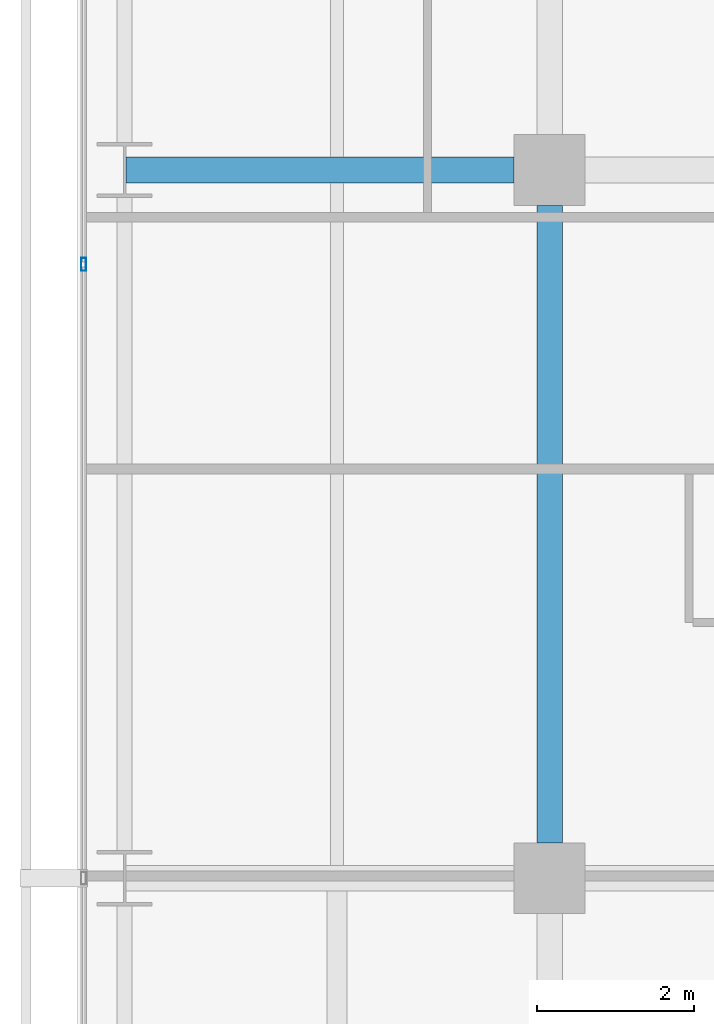
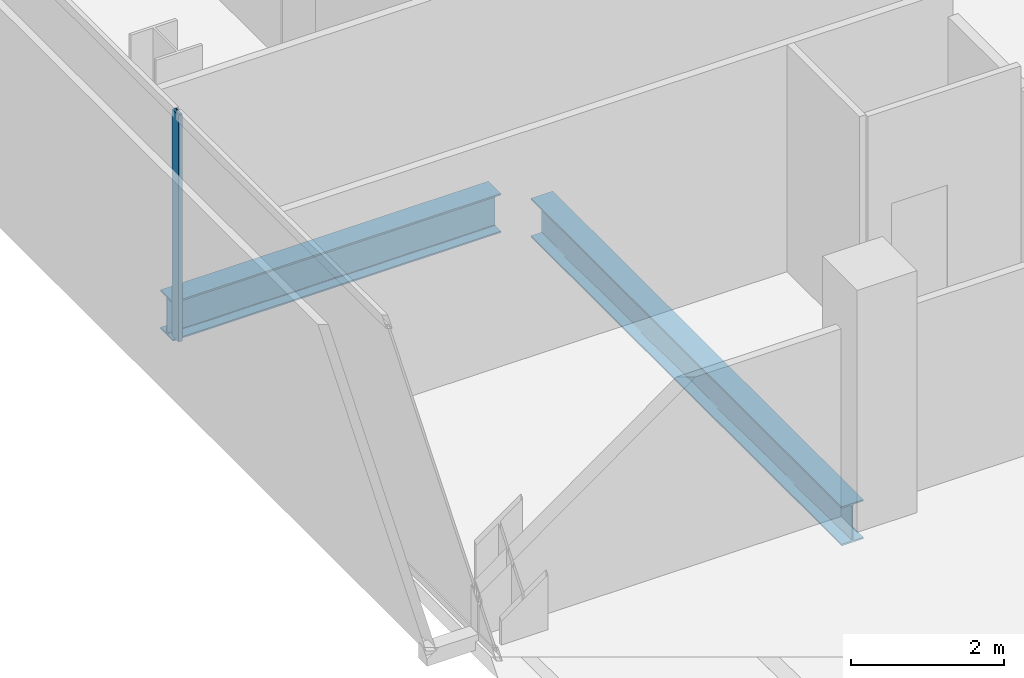
# One storey, part 21 of 40: 2 beams, 1 member, 1 element without a shape of its own.
"""IFC4 building model written with IfcOpenShell, lengths in metres."""

import ifcopenshell
import ifcopenshell.guid

model = None  # the IFC model being written
_history = None  # IfcOwnerHistory: only IFC2X3 demands one
_inside = {}  # id of a spatial element -> (the spatial element, [elements in it])
_under = {}  # id of a project, library or spatial element -> (it, [spatial elements below it])
_declared = {}  # id of a project -> (the project, [libraries it declares])
_typed = {}  # id of a type object -> (the type object, [elements of that type])
_made_of = {}  # id of a material, layer set ... -> (it, [elements and type objects made of it])


def new_model(schema):
    """Start an empty IFC model of exactly this schema.

    Asked for "IFC4X3", IfcOpenShell would pick the latest addendum, in which some entities
    have other attributes; the version numbers below select the first issue.
    IFC2X3 requires an IfcOwnerHistory on every rooted entity: one is made here for all.
    """
    global model, _history
    if schema == "IFC4X3":
        model = ifcopenshell.file(schema_version=(4, 3, 0, 0))
    else:
        model = ifcopenshell.file(schema=schema)
    _inside.clear()
    _under.clear()
    _declared.clear()
    _typed.clear()
    _made_of.clear()
    _history = None
    if model.schema == "IFC2X3":
        org = make("IfcOrganization", Name="unknown")
        user = make(
            "IfcPersonAndOrganization",
            ThePerson=make("IfcPerson", FamilyName="unknown"),
            TheOrganization=org,
        )
        app = make(
            "IfcApplication",
            ApplicationDeveloper=org,
            Version="unknown",
            ApplicationFullName="unknown",
            ApplicationIdentifier="unknown",
        )
        _history = make(
            "IfcOwnerHistory",
            OwningUser=user,
            OwningApplication=app,
            ChangeAction="ADDED",
            CreationDate=0,
        )
    return model


def make(cls, **values):
    """One entity of the class cls with the attributes given. An attribute that is None is left unset."""
    return model.create_entity(
        cls, **{name: value for name, value in values.items() if value is not None}
    )


def rooted(cls, **values):
    """An entity with a GlobalId (a new one), such as an element, a storey or a relation."""
    return make(cls, GlobalId=ifcopenshell.guid.new(), OwnerHistory=_history, **values)


def si_unit(unit_type, name, prefix=None):
    """IfcSIUnit, for example si_unit("LENGTHUNIT", "METRE", prefix="MILLI")."""
    return make("IfcSIUnit", UnitType=unit_type, Prefix=prefix, Name=name)


def assignment(units):
    """IfcUnitAssignment: the units of a project."""
    return None if units is None else make("IfcUnitAssignment", Units=units)


def point(xyz):
    """IfcCartesianPoint."""
    return None if xyz is None else make("IfcCartesianPoint", Coordinates=xyz)


def direction(xyz):
    """IfcDirection."""
    return None if xyz is None else make("IfcDirection", DirectionRatios=xyz)


def frame(location, z_axis=None, x_axis=None):
    """IfcAxis2Placement3D, a coordinate frame: its origin and axes. An axis left out is left unset."""
    return make(
        "IfcAxis2Placement3D",
        Location=point(location),
        Axis=direction(z_axis),
        RefDirection=direction(x_axis),
    )


def frame_2d(location, x_axis=None):
    """IfcAxis2Placement2D, a coordinate frame in the plane: its origin and x axis."""
    return make(
        "IfcAxis2Placement2D", Location=point(location), RefDirection=direction(x_axis)
    )


def origin():
    """The frame at (0, 0, 0) with its axes left unset."""
    return frame((0.0, 0.0, 0.0))


def origin_2d():
    """The frame at (0, 0) in the plane with its x axis left unset."""
    return frame_2d((0.0, 0.0))


def place(relative_to, where):
    """IfcLocalPlacement: puts the frame where relative to a parent placement (None: the world)."""
    return make(
        "IfcLocalPlacement", PlacementRelTo=relative_to, RelativePlacement=where
    )


def context(
    kind, dimensions, precision=None, world=None, true_north=None, identifier=None
):
    """IfcGeometricRepresentationContext, for example the 3D "Model" context."""
    return make(
        "IfcGeometricRepresentationContext",
        ContextIdentifier=identifier,
        ContextType=kind,
        CoordinateSpaceDimension=dimensions,
        Precision=precision,
        WorldCoordinateSystem=world,
        TrueNorth=true_north,
    )


def subcontext(parent, identifier, kind, view, scale=None):
    """IfcGeometricRepresentationSubContext, for example "Body" below "Model"."""
    return make(
        "IfcGeometricRepresentationSubContext",
        ContextIdentifier=identifier,
        ContextType=kind,
        ParentContext=parent,
        TargetScale=scale,
        TargetView=view,
    )


def project(units=None, contexts=None):
    """IfcProject with its units and contexts."""
    return rooted(
        "IfcProject",
        Name="project",
        RepresentationContexts=contexts,
        UnitsInContext=assignment(units),
    )


def spatial(cls, under=None, at=None, **own):
    """A site, building, storey or space (cls), placed at a placement, below another one or the project."""
    s = rooted(cls, ObjectPlacement=at, **own)
    if under is not None:
        _under.setdefault(under.id(), (under, []))[1].append(s)
    return s


def profile(cls, at=None, kind="AREA", **sizes):
    """A parametric profile (cls). Its sizes go by their IFC names, for example OverallWidth=200.0."""
    return make(cls, ProfileType=kind, Position=at, **sizes)


def hollow_rectangle(**sizes):
    """IfcRectangleHollowProfileDef."""
    return profile("IfcRectangleHollowProfileDef", **sizes)


def i_section(**sizes):
    """IfcIShapeProfileDef."""
    return profile("IfcIShapeProfileDef", **sizes)


def extrude(swept, where, along, depth):
    """IfcExtrudedAreaSolid: the profile swept, set in the frame where, extruded along a direction by depth."""
    return make(
        "IfcExtrudedAreaSolid",
        SweptArea=swept,
        Position=where,
        ExtrudedDirection=direction(along),
        Depth=depth,
    )


def shape(context_of_items, identifier, shape_type, items):
    """IfcShapeRepresentation: the items that make up one representation, for example the "Body"."""
    return make(
        "IfcShapeRepresentation",
        ContextOfItems=context_of_items,
        RepresentationIdentifier=identifier,
        RepresentationType=shape_type,
        Items=items,
    )


def material(Name=None, Category=None):
    """IfcMaterial."""
    return make("IfcMaterial", Name=Name, Category=Category)


def layer(
    of_material, thickness, ventilated=None, Name=None, Category=None, Priority=None
):
    """IfcMaterialLayer: one layer of a wall or slab, of a material (None: an air gap)."""
    return make(
        "IfcMaterialLayer",
        Material=of_material,
        LayerThickness=thickness,
        IsVentilated=ventilated,
        Name=Name,
        Category=Category,
        Priority=Priority,
    )


def layer_set(layers, Name=None):
    """IfcMaterialLayerSet."""
    return make("IfcMaterialLayerSet", MaterialLayers=layers, LayerSetName=Name)


def material_profile(
    of_material, cross_section, Name=None, Category=None, Priority=None
):
    """IfcMaterialProfile: a cross section and its material."""
    return make(
        "IfcMaterialProfile",
        Name=Name,
        Material=of_material,
        Profile=cross_section,
        Priority=Priority,
        Category=Category,
    )


def profile_set(profiles, Name=None, composite=None):
    """IfcMaterialProfileSet."""
    return make(
        "IfcMaterialProfileSet",
        Name=Name,
        MaterialProfiles=profiles,
        CompositeProfile=composite,
    )


def made_of(thing, what):
    """Note that an element or type object is made of a material, layer set ...; save() writes the relation."""
    if what is not None:
        _made_of.setdefault(what.id(), (what, []))[1].append(thing)
    return thing


def type_object(cls, material=None, **own):
    """A type object (cls), such as IfcWallType, which elements share."""
    return made_of(rooted(cls, **own), material)


def element(
    cls,
    number,
    at=None,
    inside=None,
    cuts=None,
    type_object=None,
    material=None,
    context=None,
    identifier="Body",
    shape_type=None,
    held_by="IfcProductDefinitionShape",
    body=None,
    shapes=None,
    **own,
):
    """One element of the class cls, such as IfcWall. Its Tag is "e" and its number.

    at: its placement. inside: the storey or other place that contains it. cuts: it is an
    opening in that element (IfcRelVoidsElement). A single representation is given by context,
    identifier, shape_type and body (its items); several are given by shapes. held_by: the class
    of the entity that holds the representations. save() writes the other relations.
    """
    e = rooted(cls, Tag="e%d" % number, ObjectPlacement=at, **own)
    if body is not None:
        shapes = [shape(context, identifier, shape_type, body)]
    if shapes is not None:
        e.Representation = make(held_by, Representations=shapes)
    if inside is not None:
        _inside.setdefault(inside.id(), (inside, []))[1].append(e)
    if cuts is not None:
        rooted(
            "IfcRelVoidsElement", RelatingBuildingElement=cuts, RelatedOpeningElement=e
        )
    if type_object is not None:
        _typed.setdefault(type_object.id(), (type_object, []))[1].append(e)
    return made_of(e, material)


def aggregate(whole, parts):
    """IfcRelAggregates: a whole, such as a stair, and the parts it consists of."""
    return rooted("IfcRelAggregates", RelatingObject=whole, RelatedObjects=parts)


def save(model, path):
    """Write the relations noted so far, then the file.

    IfcRelAggregates (storeys below a building ...), IfcRelContainedInSpatialStructure (elements
    in a storey), IfcRelDefinesByType, IfcRelAssociatesMaterial and IfcRelDeclares: one each for
    every whole, place, type object, material and project.
    """
    for whole, parts in _under.values():
        aggregate(whole, parts)
    for where, things in _inside.values():
        rooted(
            "IfcRelContainedInSpatialStructure",
            RelatedElements=things,
            RelatingStructure=where,
        )
    for kind, things in _typed.values():
        rooted("IfcRelDefinesByType", RelatedObjects=things, RelatingType=kind)
    for what, things in _made_of.values():
        rooted("IfcRelAssociatesMaterial", RelatedObjects=things, RelatingMaterial=what)
    for by, libraries in _declared.values():
        rooted("IfcRelDeclares", RelatingContext=by, RelatedDefinitions=libraries)
    model.write(path)


model = new_model("IFC4")

# Units and contexts
model_context = context("Model", 3, precision=1e-05, world=origin(), true_north=direction((0.0, 1.0)))
body_context = subcontext(model_context, "Body", "Model", "MODEL_VIEW")
ifc_project = project(units=[si_unit("LENGTHUNIT", "METRE"), si_unit("AREAUNIT", "SQUARE_METRE"), si_unit("VOLUMEUNIT", "CUBIC_METRE"), si_unit("PLANEANGLEUNIT", "RADIAN"), si_unit("MASSUNIT", "GRAM", prefix="KILO")], contexts=[model_context])

# Site, building, storey
site_placement = place(None, origin())
site = spatial("IfcSite", under=ifc_project, at=site_placement, CompositionType="ELEMENT")
building_placement = place(site_placement, origin())
building = spatial("IfcBuilding", under=site, at=building_placement, Name="Maruvema Waterfront Hotel and Observation Tower", CompositionType="ELEMENT")
storey_placement = place(building_placement, frame((0.0, 0.0, 50.050048828125)))
storey = spatial("IfcBuildingStorey", under=building, at=storey_placement, Name="L11", CompositionType="ELEMENT", Elevation=50.050048828125)

# Curtain wall, member
ifc_material_1 = material(Name="Anodised bronze aluminium and solar-control low-E IGU", Category="aluminium")
ifc_layer = layer(ifc_material_1, 0.159912109375, Name="Zone 1 Bronze Inner Thermal Curtain Wall System CW-02")
ifc_layer_set = layer_set([ifc_layer], Name="Anodised bronze aluminium and solar-control low-E IGU")
curtain_wall_type = type_object("IfcCurtainWallType", Name="Zone 1 Bronze Inner Thermal Curtain Wall System CW-02", PredefinedType="USERDEFINED", material=ifc_layer_set)
curtain_wall_placement = place(storey_placement, origin())
curtain_wall = element("IfcCurtainWall", 1, at=curtain_wall_placement, inside=storey, type_object=curtain_wall_type, Name="L11 Curtain Wall CW-L11-W", ObjectType="UNITISED CURTAIN WALL", PredefinedType="USERDEFINED")
ifc_material_2 = material(Name="Anodised architectural bronze aluminium", Category="aluminium")
ifc_material_profile_1 = material_profile(ifc_material_2, hollow_rectangle(XDim=0.06494140625, YDim=0.1650390625, WallThickness=0.00390625, at=origin_2d()), Name="ALU-M65x165")
ifc_profile_set_1 = profile_set([ifc_material_profile_1], Name="Anodised architectural bronze aluminium")
member_type = type_object("IfcMemberType", Name="Curtain Wall Primary Mullion ALU-M65x165", PredefinedType="MULLION", material=ifc_profile_set_1)
member_placement = place(storey_placement, frame((10.8798828125, 34.800048828125, 0.0), z_axis=(0.0, 0.0, 1.0), x_axis=(1.0, 0.0, 0.0)))
member = element("IfcMember", 2, at=member_placement, type_object=member_type, Name="CW-02 mullion 3", PredefinedType="MULLION", context=body_context, shape_type="SweptSolid", body=[
    extrude(hollow_rectangle(XDim=0.06494140625, YDim=0.1650390625, WallThickness=0.00390625, at=origin_2d()), origin(), (0.0, 0.0, 1.0), 3.60986328125),
])
aggregate(curtain_wall, [member])

# Beams
ifc_material_3 = material(Name="Steel ASTM A572 Grade 50", Category="steel")
ifc_material_profile_2 = material_profile(ifc_material_3, i_section(OverallWidth=0.326904296875, OverallDepth=0.6220703125, WebThickness=0.015380859375, FlangeThickness=0.0244140625, FilletRadius=0.01806640625, at=origin_2d()), Name="W610x195.0")
ifc_profile_set_2 = profile_set([ifc_material_profile_2], Name="Steel ASTM A572 Grade 50")
beam_type = type_object("IfcBeamType", Name="Primary Floor Girder W610x195.0", PredefinedType="BEAM", material=ifc_profile_set_2)
beam_1_placement = place(storey_placement, frame((11.4140625, 36.0, -0.551025390625), z_axis=(1.0, 0.0, 0.0), x_axis=(0.0, 1.0, 0.0)))
element("IfcBeam", 3, at=beam_1_placement, inside=storey, type_object=beam_type, Name="L11 Floor Girder EW-25", PredefinedType="BEAM", context=body_context, shape_type="SweptSolid", body=[
    extrude(i_section(OverallWidth=0.326904296875, OverallDepth=0.6220703125, WebThickness=0.015380859375, FlangeThickness=0.0244140625, FilletRadius=0.01806640625, at=origin_2d()), origin(), (0.0, 0.0, 1.0), 4.93603515625),
])
beam_2_placement = place(storey_placement, frame((16.800048828125, 27.449951171875, -0.551025390625), z_axis=(0.0, 1.0, 0.0), x_axis=(-1.0, 0.0, 0.0)))
element("IfcBeam", 4, at=beam_2_placement, inside=storey, type_object=beam_type, Name="L11 Floor Girder NS-08", PredefinedType="BEAM", context=body_context, shape_type="SweptSolid", body=[
    extrude(i_section(OverallWidth=0.326904296875, OverallDepth=0.6220703125, WebThickness=0.015380859375, FlangeThickness=0.0244140625, FilletRadius=0.01806640625, at=origin_2d()), origin(), (0.0, 0.0, 1.0), 8.10009765625),
])

save(model, "model.ifc")
